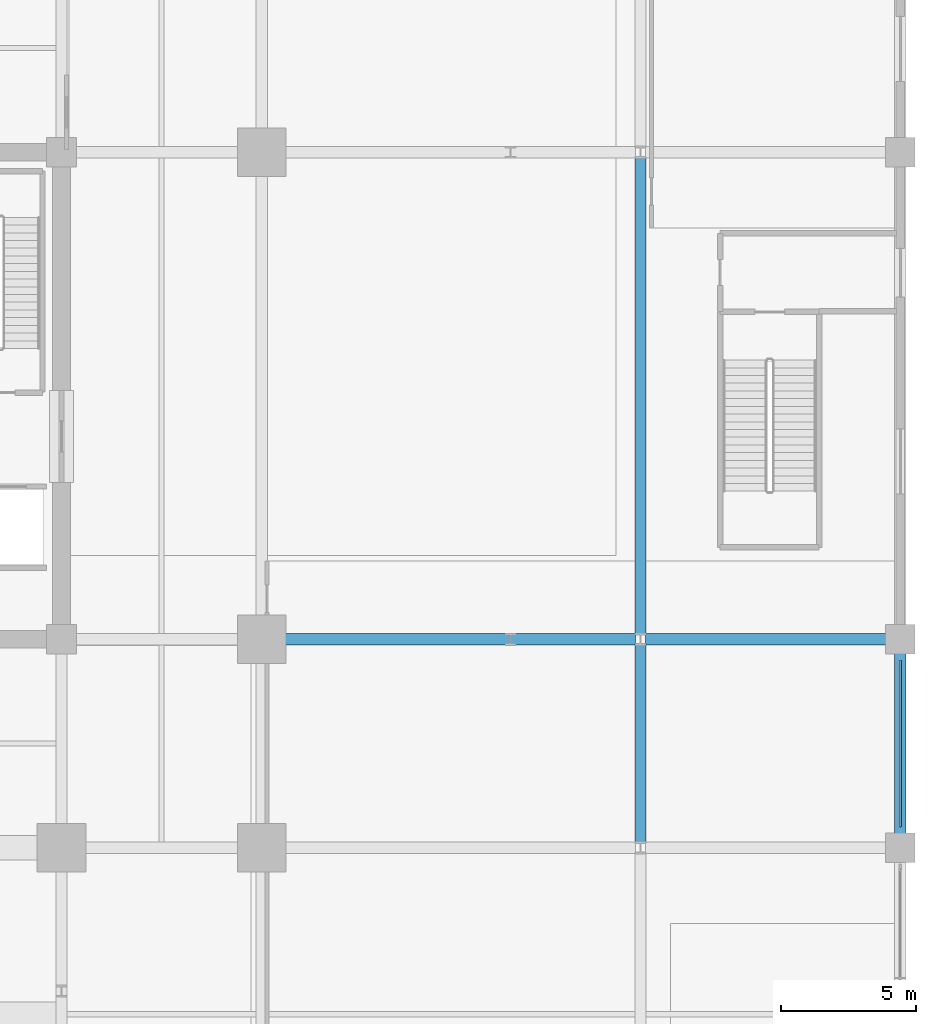
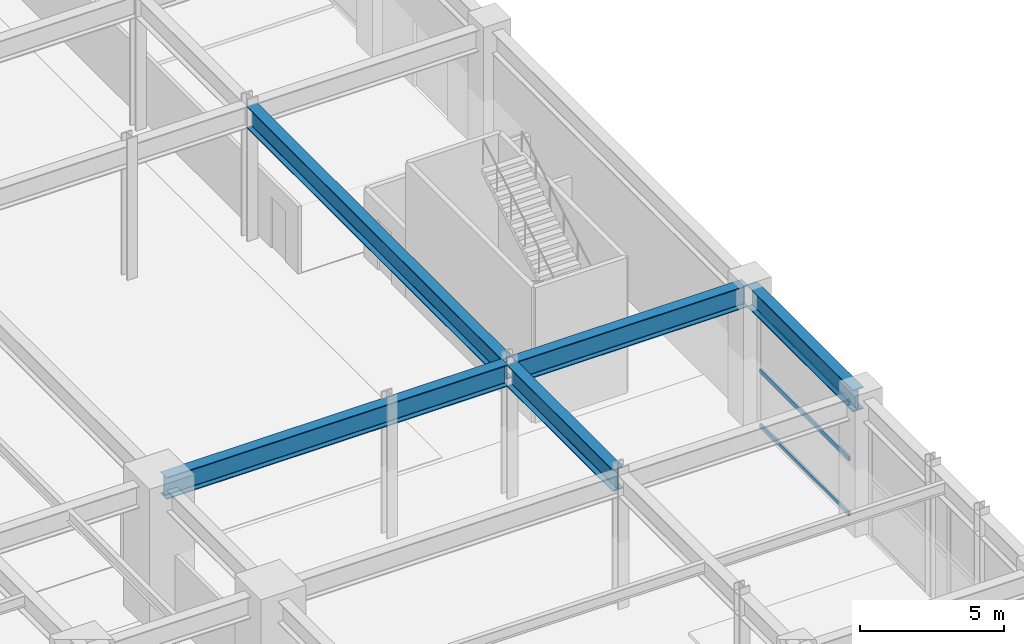
# One storey, part 23 of 41: 5 beams, 3 members, 1 element without a shape of its own.
"""IFC4 building model written with IfcOpenShell, lengths in metres."""

import ifcopenshell
import ifcopenshell.guid

model = None  # the IFC model being written
_history = None  # IfcOwnerHistory: only IFC2X3 demands one
_inside = {}  # id of a spatial element -> (the spatial element, [elements in it])
_under = {}  # id of a project, library or spatial element -> (it, [spatial elements below it])
_declared = {}  # id of a project -> (the project, [libraries it declares])
_typed = {}  # id of a type object -> (the type object, [elements of that type])
_made_of = {}  # id of a material, layer set ... -> (it, [elements and type objects made of it])


def new_model(schema):
    """Start an empty IFC model of exactly this schema.

    Asked for "IFC4X3", IfcOpenShell would pick the latest addendum, in which some entities
    have other attributes; the version numbers below select the first issue.
    IFC2X3 requires an IfcOwnerHistory on every rooted entity: one is made here for all.
    """
    global model, _history
    if schema == "IFC4X3":
        model = ifcopenshell.file(schema_version=(4, 3, 0, 0))
    else:
        model = ifcopenshell.file(schema=schema)
    _inside.clear()
    _under.clear()
    _declared.clear()
    _typed.clear()
    _made_of.clear()
    _history = None
    if model.schema == "IFC2X3":
        org = make("IfcOrganization", Name="unknown")
        user = make(
            "IfcPersonAndOrganization",
            ThePerson=make("IfcPerson", FamilyName="unknown"),
            TheOrganization=org,
        )
        app = make(
            "IfcApplication",
            ApplicationDeveloper=org,
            Version="unknown",
            ApplicationFullName="unknown",
            ApplicationIdentifier="unknown",
        )
        _history = make(
            "IfcOwnerHistory",
            OwningUser=user,
            OwningApplication=app,
            ChangeAction="ADDED",
            CreationDate=0,
        )
    return model


def make(cls, **values):
    """One entity of the class cls with the attributes given. An attribute that is None is left unset."""
    return model.create_entity(
        cls, **{name: value for name, value in values.items() if value is not None}
    )


def rooted(cls, **values):
    """An entity with a GlobalId (a new one), such as an element, a storey or a relation."""
    return make(cls, GlobalId=ifcopenshell.guid.new(), OwnerHistory=_history, **values)


def si_unit(unit_type, name, prefix=None):
    """IfcSIUnit, for example si_unit("LENGTHUNIT", "METRE", prefix="MILLI")."""
    return make("IfcSIUnit", UnitType=unit_type, Prefix=prefix, Name=name)


def assignment(units):
    """IfcUnitAssignment: the units of a project."""
    return None if units is None else make("IfcUnitAssignment", Units=units)


def point(xyz):
    """IfcCartesianPoint."""
    return None if xyz is None else make("IfcCartesianPoint", Coordinates=xyz)


def direction(xyz):
    """IfcDirection."""
    return None if xyz is None else make("IfcDirection", DirectionRatios=xyz)


def frame(location, z_axis=None, x_axis=None):
    """IfcAxis2Placement3D, a coordinate frame: its origin and axes. An axis left out is left unset."""
    return make(
        "IfcAxis2Placement3D",
        Location=point(location),
        Axis=direction(z_axis),
        RefDirection=direction(x_axis),
    )


def frame_2d(location, x_axis=None):
    """IfcAxis2Placement2D, a coordinate frame in the plane: its origin and x axis."""
    return make(
        "IfcAxis2Placement2D", Location=point(location), RefDirection=direction(x_axis)
    )


def origin():
    """The frame at (0, 0, 0) with its axes left unset."""
    return frame((0.0, 0.0, 0.0))


def origin_2d():
    """The frame at (0, 0) in the plane with its x axis left unset."""
    return frame_2d((0.0, 0.0))


def place(relative_to, where):
    """IfcLocalPlacement: puts the frame where relative to a parent placement (None: the world)."""
    return make(
        "IfcLocalPlacement", PlacementRelTo=relative_to, RelativePlacement=where
    )


def context(
    kind, dimensions, precision=None, world=None, true_north=None, identifier=None
):
    """IfcGeometricRepresentationContext, for example the 3D "Model" context."""
    return make(
        "IfcGeometricRepresentationContext",
        ContextIdentifier=identifier,
        ContextType=kind,
        CoordinateSpaceDimension=dimensions,
        Precision=precision,
        WorldCoordinateSystem=world,
        TrueNorth=true_north,
    )


def subcontext(parent, identifier, kind, view, scale=None):
    """IfcGeometricRepresentationSubContext, for example "Body" below "Model"."""
    return make(
        "IfcGeometricRepresentationSubContext",
        ContextIdentifier=identifier,
        ContextType=kind,
        ParentContext=parent,
        TargetScale=scale,
        TargetView=view,
    )


def project(units=None, contexts=None):
    """IfcProject with its units and contexts."""
    return rooted(
        "IfcProject",
        Name="project",
        RepresentationContexts=contexts,
        UnitsInContext=assignment(units),
    )


def spatial(cls, under=None, at=None, **own):
    """A site, building, storey or space (cls), placed at a placement, below another one or the project."""
    s = rooted(cls, ObjectPlacement=at, **own)
    if under is not None:
        _under.setdefault(under.id(), (under, []))[1].append(s)
    return s


def profile(cls, at=None, kind="AREA", **sizes):
    """A parametric profile (cls). Its sizes go by their IFC names, for example OverallWidth=200.0."""
    return make(cls, ProfileType=kind, Position=at, **sizes)


def hollow_rectangle(**sizes):
    """IfcRectangleHollowProfileDef."""
    return profile("IfcRectangleHollowProfileDef", **sizes)


def i_section(**sizes):
    """IfcIShapeProfileDef."""
    return profile("IfcIShapeProfileDef", **sizes)


def extrude(swept, where, along, depth):
    """IfcExtrudedAreaSolid: the profile swept, set in the frame where, extruded along a direction by depth."""
    return make(
        "IfcExtrudedAreaSolid",
        SweptArea=swept,
        Position=where,
        ExtrudedDirection=direction(along),
        Depth=depth,
    )


def shape(context_of_items, identifier, shape_type, items):
    """IfcShapeRepresentation: the items that make up one representation, for example the "Body"."""
    return make(
        "IfcShapeRepresentation",
        ContextOfItems=context_of_items,
        RepresentationIdentifier=identifier,
        RepresentationType=shape_type,
        Items=items,
    )


def material(Name=None, Category=None):
    """IfcMaterial."""
    return make("IfcMaterial", Name=Name, Category=Category)


def material_profile(
    of_material, cross_section, Name=None, Category=None, Priority=None
):
    """IfcMaterialProfile: a cross section and its material."""
    return make(
        "IfcMaterialProfile",
        Name=Name,
        Material=of_material,
        Profile=cross_section,
        Priority=Priority,
        Category=Category,
    )


def profile_set(profiles, Name=None, composite=None):
    """IfcMaterialProfileSet."""
    return make(
        "IfcMaterialProfileSet",
        Name=Name,
        MaterialProfiles=profiles,
        CompositeProfile=composite,
    )


def made_of(thing, what):
    """Note that an element or type object is made of a material, layer set ...; save() writes the relation."""
    if what is not None:
        _made_of.setdefault(what.id(), (what, []))[1].append(thing)
    return thing


def type_object(cls, material=None, **own):
    """A type object (cls), such as IfcWallType, which elements share."""
    return made_of(rooted(cls, **own), material)


def element(
    cls,
    number,
    at=None,
    inside=None,
    cuts=None,
    type_object=None,
    material=None,
    context=None,
    identifier="Body",
    shape_type=None,
    held_by="IfcProductDefinitionShape",
    body=None,
    shapes=None,
    **own,
):
    """One element of the class cls, such as IfcWall. Its Tag is "e" and its number.

    at: its placement. inside: the storey or other place that contains it. cuts: it is an
    opening in that element (IfcRelVoidsElement). A single representation is given by context,
    identifier, shape_type and body (its items); several are given by shapes. held_by: the class
    of the entity that holds the representations. save() writes the other relations.
    """
    e = rooted(cls, Tag="e%d" % number, ObjectPlacement=at, **own)
    if body is not None:
        shapes = [shape(context, identifier, shape_type, body)]
    if shapes is not None:
        e.Representation = make(held_by, Representations=shapes)
    if inside is not None:
        _inside.setdefault(inside.id(), (inside, []))[1].append(e)
    if cuts is not None:
        rooted(
            "IfcRelVoidsElement", RelatingBuildingElement=cuts, RelatedOpeningElement=e
        )
    if type_object is not None:
        _typed.setdefault(type_object.id(), (type_object, []))[1].append(e)
    return made_of(e, material)


def aggregate(whole, parts):
    """IfcRelAggregates: a whole, such as a stair, and the parts it consists of."""
    return rooted("IfcRelAggregates", RelatingObject=whole, RelatedObjects=parts)


def save(model, path):
    """Write the relations noted so far, then the file.

    IfcRelAggregates (storeys below a building ...), IfcRelContainedInSpatialStructure (elements
    in a storey), IfcRelDefinesByType, IfcRelAssociatesMaterial and IfcRelDeclares: one each for
    every whole, place, type object, material and project.
    """
    for whole, parts in _under.values():
        aggregate(whole, parts)
    for where, things in _inside.values():
        rooted(
            "IfcRelContainedInSpatialStructure",
            RelatedElements=things,
            RelatingStructure=where,
        )
    for kind, things in _typed.values():
        rooted("IfcRelDefinesByType", RelatedObjects=things, RelatingType=kind)
    for what, things in _made_of.values():
        rooted("IfcRelAssociatesMaterial", RelatedObjects=things, RelatingMaterial=what)
    for by, libraries in _declared.values():
        rooted("IfcRelDeclares", RelatingContext=by, RelatedDefinitions=libraries)
    model.write(path)


model = new_model("IFC4")

# Units and contexts
model_context = context("Model", 3, precision=1e-05, world=origin(), true_north=direction((0.0, 1.0)))
body_context = subcontext(model_context, "Body", "Model", "MODEL_VIEW")
ifc_project = project(units=[si_unit("LENGTHUNIT", "METRE"), si_unit("AREAUNIT", "SQUARE_METRE"), si_unit("VOLUMEUNIT", "CUBIC_METRE"), si_unit("PLANEANGLEUNIT", "RADIAN"), si_unit("MASSUNIT", "GRAM", prefix="KILO")], contexts=[model_context])

# Site, building, storey
site_placement = place(None, origin())
site = spatial("IfcSite", under=ifc_project, at=site_placement, CompositionType="ELEMENT")
building_placement = place(site_placement, origin())
building = spatial("IfcBuilding", under=site, at=building_placement, Name="Kovane Verandah Tower", CompositionType="ELEMENT")
storey_placement = place(building_placement, origin())
storey = spatial("IfcBuildingStorey", under=building, at=storey_placement, Name="L00", CompositionType="ELEMENT", Elevation=0.0)

# Beams
ifc_material_1 = material(Name="Steel S460", Category="steel")
ifc_material_profile_1 = material_profile(ifc_material_1, i_section(OverallWidth=0.42041015625, OverallDepth=0.9208984375, WebThickness=0.021484375, FlangeThickness=0.03662109375, FilletRadius=0.024169921875, at=origin_2d()), Name="UB914x419x388")
ifc_profile_set_1 = profile_set([ifc_material_profile_1], Name="Steel S460")
beam_type = type_object("IfcBeamType", Name="BM-UB914x388", PredefinedType="BEAM", material=ifc_profile_set_1)
beam_1_placement = place(storey_placement, frame((58.580078125, 18.5, 5.239501953125), z_axis=(1.0, 0.0, 0.0), x_axis=(0.0, 1.0, 0.0)))
element("IfcBeam", 1, at=beam_1_placement, inside=storey, type_object=beam_type, Name="L00 Podium Grid Girder X14", PredefinedType="BEAM", context=body_context, shape_type="SweptSolid", body=[
    extrude(i_section(OverallWidth=0.42041015625, OverallDepth=0.9208984375, WebThickness=0.021484375, FlangeThickness=0.03662109375, FilletRadius=0.024169921875, at=origin_2d()), origin(), (0.0, 0.0, 1.0), 13.639892578125),
])
beam_2_placement = place(storey_placement, frame((72.580078125, 18.5, 5.239501953125), z_axis=(1.0, 0.0, 0.0), x_axis=(0.0, 1.0, 0.0)))
element("IfcBeam", 2, at=beam_2_placement, inside=storey, type_object=beam_type, Name="L00 Podium Grid Girder X15", PredefinedType="BEAM", context=body_context, shape_type="SweptSolid", body=[
    extrude(i_section(OverallWidth=0.42041015625, OverallDepth=0.9208984375, WebThickness=0.021484375, FlangeThickness=0.03662109375, FilletRadius=0.024169921875, at=origin_2d()), origin(), (0.0, 0.0, 1.0), 9.239990234375),
])
beam_3_placement = place(storey_placement, frame((72.39990234375, 10.97998046875, 5.239501953125), z_axis=(0.0, 1.0, 0.0), x_axis=(-1.0, 0.0, 0.0)))
element("IfcBeam", 3, at=beam_3_placement, inside=storey, type_object=beam_type, Name="L00 Podium Grid Girder Y50", PredefinedType="BEAM", context=body_context, shape_type="SweptSolid", body=[
    extrude(i_section(OverallWidth=0.42041015625, OverallDepth=0.9208984375, WebThickness=0.021484375, FlangeThickness=0.03662109375, FilletRadius=0.024169921875, at=origin_2d()), origin(), (0.0, 0.0, 1.0), 7.340087890625),
])
beam_4_placement = place(storey_placement, frame((72.39990234375, 18.679931640625, 5.239501953125), z_axis=(0.0, 1.0, 0.0), x_axis=(-1.0, 0.0, 0.0)))
element("IfcBeam", 4, at=beam_4_placement, inside=storey, type_object=beam_type, Name="L00 Podium Grid Girder Y51", PredefinedType="BEAM", context=body_context, shape_type="SweptSolid", body=[
    extrude(i_section(OverallWidth=0.42041015625, OverallDepth=0.9208984375, WebThickness=0.021484375, FlangeThickness=0.03662109375, FilletRadius=0.024169921875, at=origin_2d()), origin(), (0.0, 0.0, 1.0), 17.64013671875),
])
beam_5_placement = place(storey_placement, frame((82.0, 10.97998046875, 5.239501953125), z_axis=(0.0, 1.0, 0.0), x_axis=(-1.0, 0.0, 0.0)))
element("IfcBeam", 5, at=beam_5_placement, inside=storey, type_object=beam_type, Name="L00 Podium Grid Girder Y55", PredefinedType="BEAM", context=body_context, shape_type="SweptSolid", body=[
    extrude(i_section(OverallWidth=0.42041015625, OverallDepth=0.9208984375, WebThickness=0.021484375, FlangeThickness=0.03662109375, FilletRadius=0.024169921875, at=origin_2d()), origin(), (0.0, 0.0, 1.0), 7.340087890625),
])

# Curtain wall, members
ifc_material_2 = material(Name="Champagne Anodised Aluminium Frame with Low-E Clear Laminated Glass", Category="aluminium")
curtain_wall_type = type_object("IfcCurtainWallType", Name="CW-SYS-01-POD", PredefinedType="NOTDEFINED", material=ifc_material_2)
curtain_wall_placement = place(storey_placement, origin())
curtain_wall = element("IfcCurtainWall", 6, at=curtain_wall_placement, inside=storey, type_object=curtain_wall_type, Name="Ground East Shopfront Curtain Wall Bay 2", PredefinedType="NOTDEFINED")
ifc_material_3 = material(Name="Champagne Anodised Aluminium 6063-T6", Category="aluminium")
ifc_material_profile_2 = material_profile(ifc_material_3, hollow_rectangle(XDim=0.0849609375, YDim=0.18994140625, WallThickness=0.00390625, at=origin_2d()), Name="AL85x190x4")
ifc_profile_set_2 = profile_set([ifc_material_profile_2], Name="Champagne Anodised Aluminium 6063-T6")
member_type = type_object("IfcMemberType", Name="CW-TRN-85x190", PredefinedType="USERDEFINED", material=ifc_profile_set_2)
member_1_placement = place(storey_placement, frame((82.0, 11.570068359375, 0.050048828125), z_axis=(0.0, 1.0, 0.0), x_axis=(-1.0, 0.0, 0.0)))
member_1 = element("IfcMember", 7, at=member_1_placement, type_object=member_type, Name="Ground East Shopfront Curtain Wall Bay 2 Transom TB Bay 1", ObjectType="TRANSOM", PredefinedType="USERDEFINED", context=body_context, shape_type="SweptSolid", body=[
    extrude(hollow_rectangle(XDim=0.0849609375, YDim=0.18994140625, WallThickness=0.00390625, at=origin_2d()), origin(), (0.0, 0.0, 1.0), 6.159912109375),
])
member_2_placement = place(storey_placement, frame((82.0, 11.570068359375, 2.37939453125), z_axis=(0.0, 1.0, 0.0), x_axis=(-1.0, 0.0, 0.0)))
member_2 = element("IfcMember", 8, at=member_2_placement, type_object=member_type, Name="Ground East Shopfront Curtain Wall Bay 2 Transom TM Bay 1", ObjectType="TRANSOM", PredefinedType="USERDEFINED", context=body_context, shape_type="SweptSolid", body=[
    extrude(hollow_rectangle(XDim=0.0849609375, YDim=0.18994140625, WallThickness=0.00390625, at=origin_2d()), origin(), (0.0, 0.0, 1.0), 6.159912109375),
])
member_3_placement = place(storey_placement, frame((82.0, 11.570068359375, 4.708984375), z_axis=(0.0, 1.0, 0.0), x_axis=(-1.0, 0.0, 0.0)))
member_3 = element("IfcMember", 9, at=member_3_placement, type_object=member_type, Name="Ground East Shopfront Curtain Wall Bay 2 Transom TT Bay 1", ObjectType="TRANSOM", PredefinedType="USERDEFINED", context=body_context, shape_type="SweptSolid", body=[
    extrude(hollow_rectangle(XDim=0.0849609375, YDim=0.18994140625, WallThickness=0.00390625, at=origin_2d()), origin(), (0.0, 0.0, 1.0), 6.159912109375),
])
aggregate(curtain_wall, [member_1, member_2, member_3])

save(model, "model.ifc")
